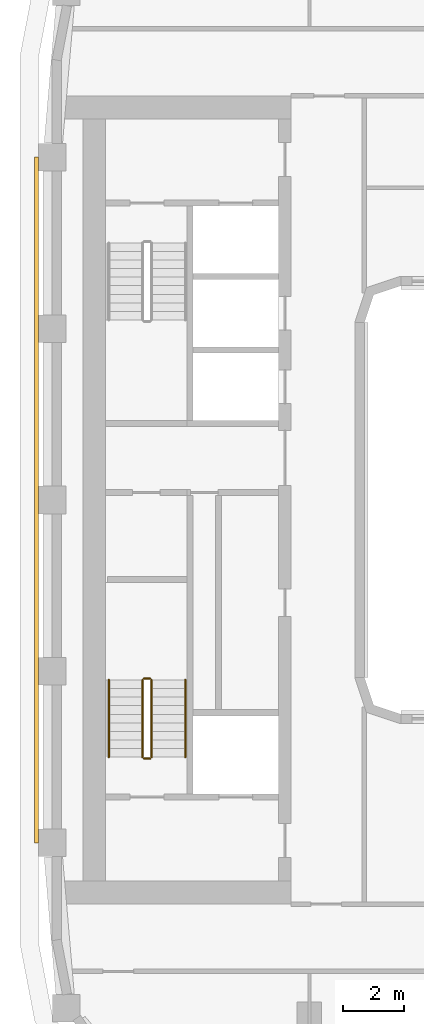
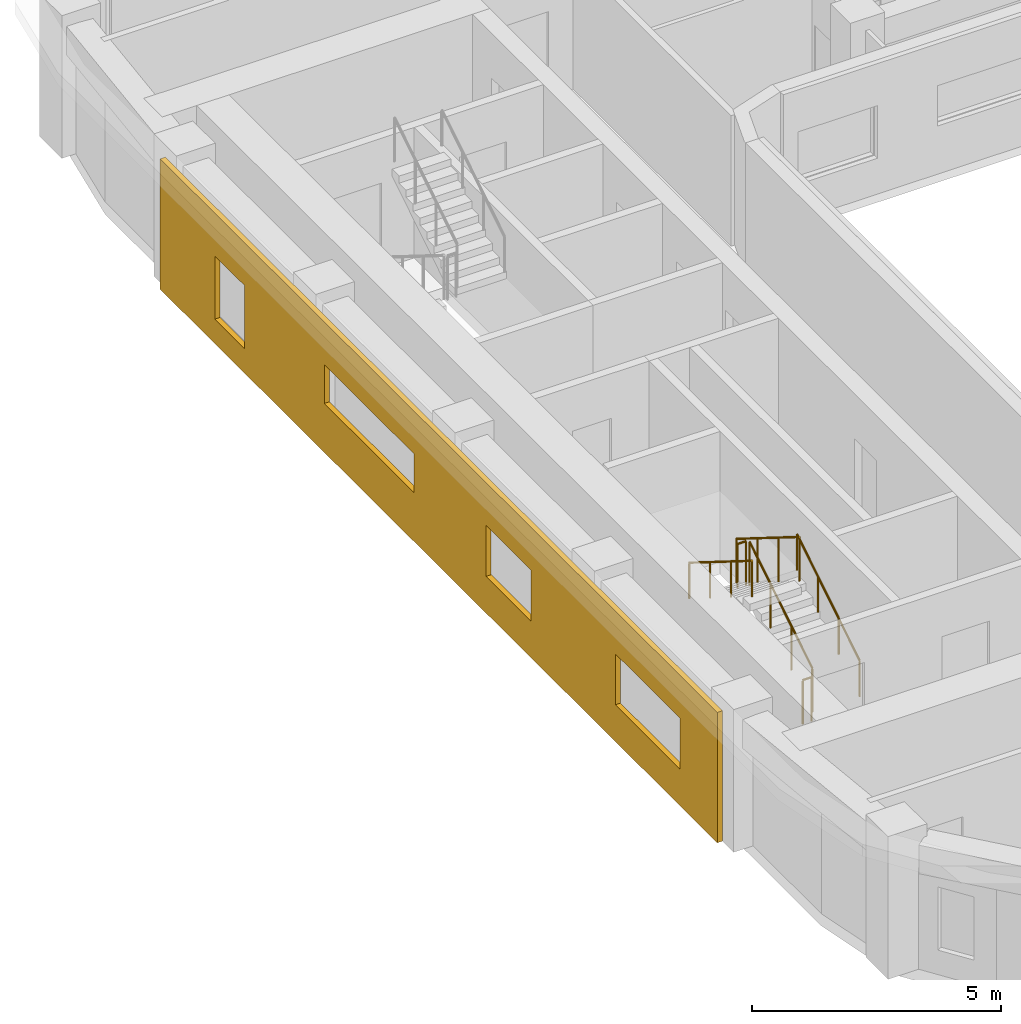
# One storey, part 10 of 18: 6 railings, 1 covering.
"""IFC4 building model written with IfcOpenShell, lengths in metres."""

from ifc_helpers import new_model, si_unit, direction, frame, origin, origin_2d, place, context, subcontext, project, spatial, polyline, circle, outline, extrude, material, layer, layer_set, type_object, element, save


model = new_model("IFC4")

# Units and contexts
model_context = context("Model", 3, precision=1e-05, world=origin(), true_north=direction((0.0, 1.0)))
body_context = subcontext(model_context, "Body", "Model", "MODEL_VIEW")
ifc_project = project(units=[si_unit("LENGTHUNIT", "METRE"), si_unit("AREAUNIT", "SQUARE_METRE"), si_unit("VOLUMEUNIT", "CUBIC_METRE"), si_unit("PLANEANGLEUNIT", "RADIAN"), si_unit("MASSUNIT", "GRAM", prefix="KILO")], contexts=[model_context])

# Site, building, storey
site_placement = place(None, origin())
site = spatial("IfcSite", under=ifc_project, at=site_placement, CompositionType="ELEMENT")
building_placement = place(site_placement, origin())
building = spatial("IfcBuilding", under=site, at=building_placement, Name="Kiln Ring Residences", CompositionType="ELEMENT")
storey_placement = place(building_placement, frame((0.0, 0.0, 209.89990234375)))
storey = spatial("IfcBuildingStorey", under=building, at=storey_placement, Name="L54", CompositionType="ELEMENT", Elevation=209.89990234375)

# Railings
ifc_material_1 = material(Name="Stainless steel", Category="steel")
railing_type_1 = type_object("IfcRailingType", Name="CORE-STAIR-GUARD", PredefinedType="GUARDRAIL", material=ifc_material_1)
railing_1_placement = place(storey_placement, frame((-21.949951171875, -8.39990234375, 0.175048828125)))
element("IfcRailing", 1, at=railing_1_placement, inside=storey, type_object=railing_type_1, Name="L54 W-STS stair guard 1", PredefinedType="GUARDRAIL", context=body_context, shape_type="SweptSolid", body=[
    extrude(circle(Radius=0.02392578125, at=origin_2d()), frame((0.0, 0.0, 1.076171875), z_axis=(0.0, 0.848007534815, 0.529984170421), x_axis=(-1.0, 0.0, 0.0)), (0.0, 0.0, 1.0), 2.9716796875),
    extrude(circle(Radius=0.02099609375, at=origin_2d()), origin(), (0.0, 0.0, 1.0), 1.052001953125),
    extrude(circle(Radius=0.02099609375, at=origin_2d()), frame((0.0, 0.840087890625, 0.52490234375)), (0.0, 0.0, 1.0), 1.052001953125),
    extrude(circle(Radius=0.02099609375, at=origin_2d()), frame((0.0, 1.679931640625, 1.050048828125)), (0.0, 0.0, 1.0), 1.052001953125),
    extrude(circle(Radius=0.02099609375, at=origin_2d()), frame((0.0, 2.52001953125, 1.574951171875)), (0.0, 0.0, 1.0), 1.052001953125),
])
railing_2_placement = place(storey_placement, frame((-22.0, -5.830078125, 1.75)))
element("IfcRailing", 2, at=railing_2_placement, inside=storey, type_object=railing_type_1, Name="L54 W-STS stair guard 2", PredefinedType="GUARDRAIL", context=body_context, shape_type="SweptSolid", body=[
    extrude(circle(Radius=0.02392578125, at=origin_2d()), frame((0.0, 0.0, 1.076171875), z_axis=(-1.0, 0.0, 0.0), x_axis=(0.0, -1.0, 0.0)), (0.0, 0.0, 1.0), 0.199951171875),
    extrude(circle(Radius=0.02099609375, at=origin_2d()), origin(), (0.0, 0.0, 1.0), 1.052001953125),
    extrude(circle(Radius=0.02099609375, at=origin_2d()), frame((-0.199951171875, 0.0, 0.0)), (0.0, 0.0, 1.0), 1.052001953125),
])
railing_3_placement = place(storey_placement, frame((-22.25, -5.8798828125, 1.925048828125)))
element("IfcRailing", 3, at=railing_3_placement, inside=storey, type_object=railing_type_1, Name="L54 W-STS stair guard 3", PredefinedType="GUARDRAIL", context=body_context, shape_type="SweptSolid", body=[
    extrude(circle(Radius=0.02392578125, at=origin_2d()), frame((0.0, 0.0, 1.076171875), z_axis=(0.0, -0.848007534815, 0.529984170421), x_axis=(1.0, 0.0, 0.0)), (0.0, 0.0, 1.0), 2.9716796875),
    extrude(circle(Radius=0.02099609375, at=origin_2d()), origin(), (0.0, 0.0, 1.0), 1.052001953125),
    extrude(circle(Radius=0.02099609375, at=origin_2d()), frame((0.0, -0.840087890625, 0.52490234375)), (0.0, 0.0, 1.0), 1.052001953125),
    extrude(circle(Radius=0.02099609375, at=origin_2d()), frame((0.0, -1.679931640625, 1.050048828125)), (0.0, 0.0, 1.0), 1.052001953125),
    extrude(circle(Radius=0.02099609375, at=origin_2d()), frame((0.0, -2.52001953125, 1.574951171875)), (0.0, 0.0, 1.0), 1.052001953125),
])
railing_4_placement = place(storey_placement, frame((-22.0, -8.449951171875, 0.0)))
element("IfcRailing", 4, at=railing_4_placement, inside=storey, type_object=railing_type_1, Name="L54 W-STS stair guard 4", PredefinedType="GUARDRAIL", context=body_context, shape_type="SweptSolid", body=[
    extrude(circle(Radius=0.02392578125, at=origin_2d()), frame((0.0, 0.0, 1.076171875), z_axis=(-1.0, 0.0, 0.0), x_axis=(0.0, -1.0, 0.0)), (0.0, 0.0, 1.0), 0.199951171875),
    extrude(circle(Radius=0.02099609375, at=origin_2d()), origin(), (0.0, 0.0, 1.0), 1.052001953125),
    extrude(circle(Radius=0.02099609375, at=origin_2d()), frame((-0.199951171875, 0.0, 0.0)), (0.0, 0.0, 1.0), 1.052001953125),
])
ifc_material_2 = material(Name="Stainless steel", Category="steel")
railing_type_2 = type_object("IfcRailingType", Name="CORE-STAIR-HANDRAIL", PredefinedType="HANDRAIL", material=ifc_material_2)
railing_5_placement = place(storey_placement, frame((-20.85009765625, -8.39990234375, 0.175048828125)))
element("IfcRailing", 5, at=railing_5_placement, inside=storey, type_object=railing_type_2, Name="L54 W-STS stair handrail 1", PredefinedType="HANDRAIL", context=body_context, shape_type="SweptSolid", body=[
    extrude(circle(Radius=0.02392578125, at=origin_2d()), frame((0.0, 0.0, 0.8759765625), z_axis=(0.0, 0.848007534815, 0.529984170421), x_axis=(-1.0, 0.0, 0.0)), (0.0, 0.0, 1.0), 2.9716796875),
    extrude(circle(Radius=0.02099609375, at=origin_2d()), origin(), (0.0, 0.0, 1.0), 0.851806640625),
    extrude(circle(Radius=0.02099609375, at=origin_2d()), frame((0.0, 0.840087890625, 0.52490234375)), (0.0, 0.0, 1.0), 0.851806640625),
    extrude(circle(Radius=0.02099609375, at=origin_2d()), frame((0.0, 1.679931640625, 1.050048828125)), (0.0, 0.0, 1.0), 0.851806640625),
    extrude(circle(Radius=0.02099609375, at=origin_2d()), frame((0.0, 2.52001953125, 1.574951171875)), (0.0, 0.0, 1.0), 0.851806640625),
])
railing_6_placement = place(storey_placement, frame((-23.35009765625, -5.8798828125, 1.925048828125)))
element("IfcRailing", 6, at=railing_6_placement, inside=storey, type_object=railing_type_2, Name="L54 W-STS stair handrail 2", PredefinedType="HANDRAIL", context=body_context, shape_type="SweptSolid", body=[
    extrude(circle(Radius=0.02392578125, at=origin_2d()), frame((0.0, 0.0, 0.8759765625), z_axis=(0.0, -0.848007534815, 0.529984170421), x_axis=(1.0, 0.0, 0.0)), (0.0, 0.0, 1.0), 2.9716796875),
    extrude(circle(Radius=0.02099609375, at=origin_2d()), origin(), (0.0, 0.0, 1.0), 0.851806640625),
    extrude(circle(Radius=0.02099609375, at=origin_2d()), frame((0.0, -0.840087890625, 0.52490234375)), (0.0, 0.0, 1.0), 0.851806640625),
    extrude(circle(Radius=0.02099609375, at=origin_2d()), frame((0.0, -1.679931640625, 1.050048828125)), (0.0, 0.0, 1.0), 0.851806640625),
    extrude(circle(Radius=0.02099609375, at=origin_2d()), frame((0.0, -2.52001953125, 1.574951171875)), (0.0, 0.0, 1.0), 0.851806640625),
])

# Covering
ifc_material_3 = material(Name="Brick masonry, dark clay brick", Category="masonry")
ifc_layer = layer(ifc_material_3, 0.1201171875)
ifc_layer_set = layer_set([ifc_layer], Name="RAINSCREEN PANEL 120")
covering_type = type_object("IfcCoveringType", Name="RAINSCREEN PANEL 120", PredefinedType="CLADDING", material=ifc_layer_set)
covering_placement = place(storey_placement, frame((-25.7099609375, 11.199951171875, 0.0), z_axis=(0.0, 0.0, 1.0), x_axis=(0.0, -1.0, 0.0)))
element("IfcCovering", 7, at=covering_placement, inside=storey, type_object=covering_type, Name="RAINSCREEN L54", PredefinedType="CLADDING", context=body_context, shape_type="SweptSolid", body=[
    extrude(outline(polyline([(0.0, 0.0), (22.39990234375, 0.0), (22.39990234375, 3.2001953125), (0.0, 3.2001953125), (0.0, 0.0)]), holes=[polyline([(3.39990234375, 0.60009765625), (3.39990234375, 2.150146484375), (2.199951171875, 2.150146484375), (2.199951171875, 0.60009765625), (3.39990234375, 0.60009765625)]), polyline([(14.89990234375, 0.900146484375), (14.89990234375, 2.150146484375), (13.10009765625, 2.150146484375), (13.10009765625, 0.900146484375), (14.89990234375, 0.900146484375)]), polyline([(20.89990234375, 0.900146484375), (20.89990234375, 2.150146484375), (18.300048828125, 2.150146484375), (18.300048828125, 0.900146484375), (20.89990234375, 0.900146484375)]), polyline([(10.199951171875, 1.2001953125), (10.199951171875, 2.150146484375), (6.60009765625, 2.150146484375), (6.60009765625, 1.2001953125), (10.199951171875, 1.2001953125)])]), frame((0.0, 0.06005859375, 0.0), z_axis=(0.0, -1.0, 0.0), x_axis=(1.0, 0.0, 0.0)), (0.0, 0.0, 1.0), 0.1201171875),
])

save(model, "model.ifc")
